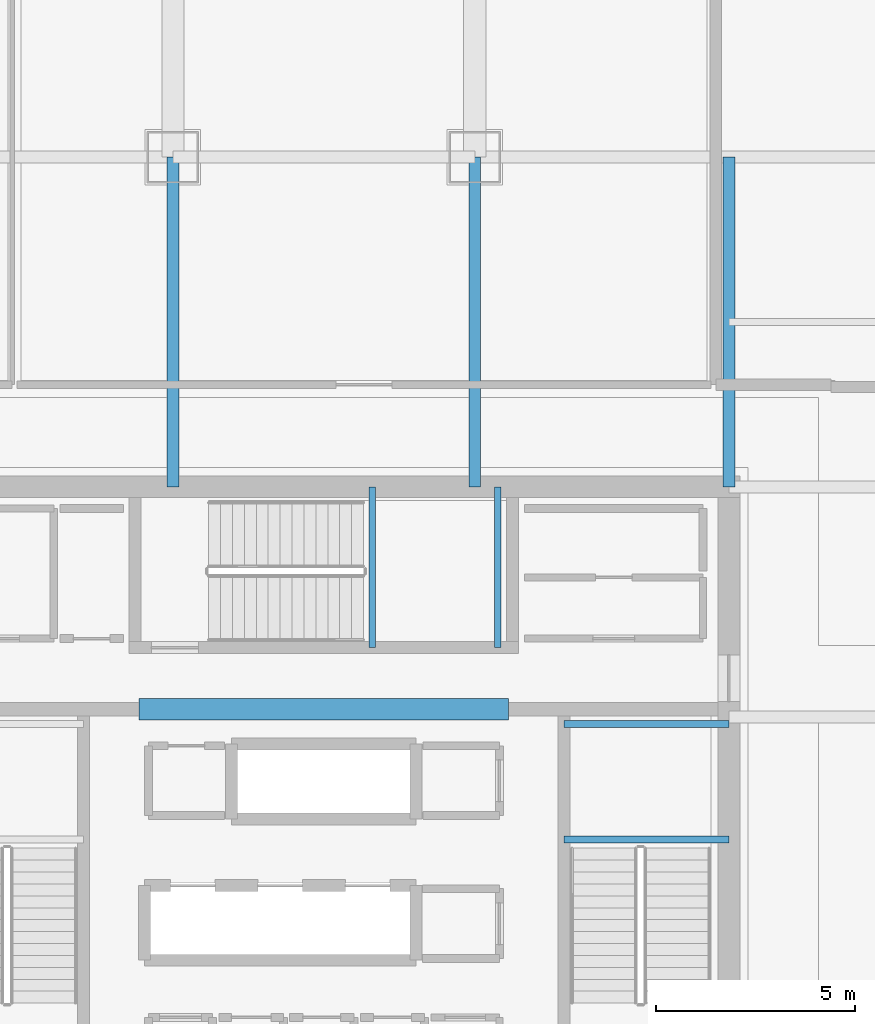
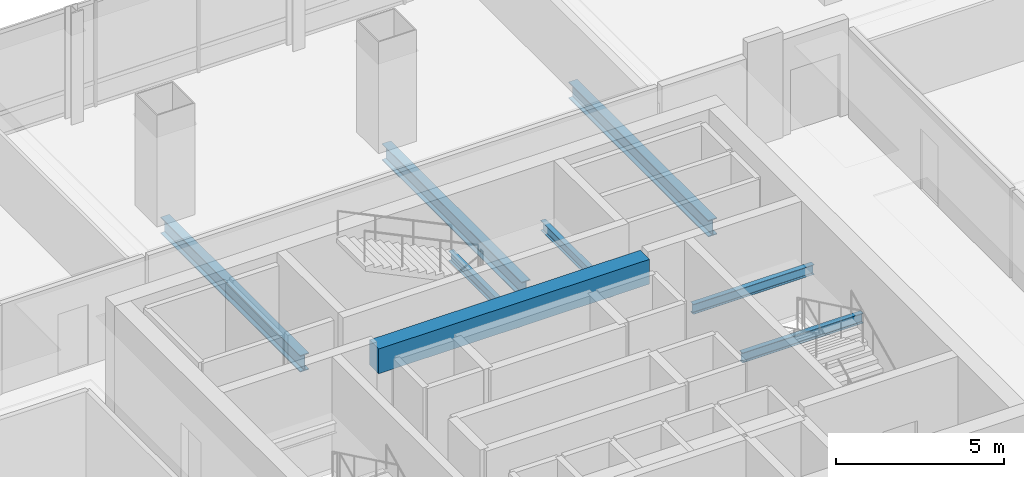
# One storey, part 13 of 40: 8 beams.
"""IFC4 building model written with IfcOpenShell, lengths in metres."""

from ifc_helpers import new_model, si_unit, direction, frame, origin, origin_2d, place, context, subcontext, project, spatial, rectangle, i_section, extrude, material, material_profile, profile_set, type_object, element, save


model = new_model("IFC4")

# Units and contexts
model_context = context("Model", 3, precision=1e-05, world=origin(), true_north=direction((0.0, 1.0)))
body_context = subcontext(model_context, "Body", "Model", "MODEL_VIEW")
ifc_project = project(units=[si_unit("LENGTHUNIT", "METRE"), si_unit("AREAUNIT", "SQUARE_METRE"), si_unit("VOLUMEUNIT", "CUBIC_METRE"), si_unit("PLANEANGLEUNIT", "RADIAN"), si_unit("MASSUNIT", "GRAM", prefix="KILO")], contexts=[model_context])

# Site, building, storey
site_placement = place(None, origin())
site = spatial("IfcSite", under=ifc_project, at=site_placement, CompositionType="ELEMENT")
building_placement = place(site_placement, origin())
building = spatial("IfcBuilding", under=site, at=building_placement, Name="Punatoya Terracotta Tower", CompositionType="ELEMENT")
storey_placement = place(building_placement, frame((0.0, 0.0, 271.64990234375)))
storey = spatial("IfcBuildingStorey", under=building, at=storey_placement, Name="L64", CompositionType="ELEMENT", Elevation=271.64990234375)

# Beams
ifc_material_1 = material(Name="Steel S355", Category="steel")
ifc_material_profile_1 = material_profile(ifc_material_1, i_section(OverallWidth=0.300048828125, OverallDepth=0.60009765625, WebThickness=0.015380859375, FlangeThickness=0.030029296875, FilletRadius=0.01806640625, at=origin_2d()))
ifc_profile_set_1 = profile_set([ifc_material_profile_1], Name="Steel S355")
beam_type_1 = type_object("IfcBeamType", Name="BM-PRI-600", PredefinedType="BEAM", material=ifc_profile_set_1)
for number, where, z_axis, x_axis, name in (
    (1, (-3.800048828125, 9.199951171875, -0.5), (0.0, 1.0, 0.0), (-1.0, 0.0, 0.0), "BM-L64-PR-N2"),
    (2, (3.800048828125, 9.199951171875, -0.5), (0.0, 1.0, 0.0), (-1.0, 0.0, 0.0), "BM-L64-PR-N3"),
    (3, (10.199951171875, 9.199951171875, -0.5), (0.0, 1.0, 0.0), (-1.0, 0.0, 0.0), "BM-L64-PR-N4"),
):
    element("IfcBeam", number, at=place(storey_placement, frame(where, z_axis=z_axis, x_axis=x_axis)), inside=storey, type_object=beam_type_1, Name=name, PredefinedType="BEAM", context=body_context, shape_type="SweptSolid", body=[
        extrude(i_section(OverallWidth=0.300048828125, OverallDepth=0.60009765625, WebThickness=0.015380859375, FlangeThickness=0.030029296875, FilletRadius=0.01806640625, at=origin_2d()), origin(), (0.0, 0.0, 1.0), 8.300048828125),
    ])
ifc_material_2 = material(Name="Concrete C50/60", Category="concrete")
ifc_material_profile_2 = material_profile(ifc_material_2, rectangle(XDim=0.550048828125, YDim=0.89990234375, at=origin_2d()))
ifc_profile_set_2 = profile_set([ifc_material_profile_2], Name="Concrete C50/60")
beam_type_2 = type_object("IfcBeamType", Name="BM-RC-900", PredefinedType="LINTEL", material=ifc_profile_set_2)
beam_placement = place(storey_placement, frame((-4.64990234375, 3.60009765625, 3.400146484375), z_axis=(1.0, 0.0, 0.0), x_axis=(0.0, 1.0, 0.0)))
element("IfcBeam", 4, at=beam_placement, inside=storey, type_object=beam_type_2, Name="L64 Core Coupling Lintel CNW", PredefinedType="LINTEL", context=body_context, shape_type="SweptSolid", body=[
    extrude(rectangle(XDim=0.550048828125, YDim=0.89990234375, at=origin_2d()), origin(), (0.0, 0.0, 1.0), 9.2998046875),
])
ifc_material_profile_3 = material_profile(ifc_material_1, i_section(OverallWidth=0.169921875, OverallDepth=0.360107421875, WebThickness=0.008056640625, FlangeThickness=0.0126953125, FilletRadius=0.01806640625, at=origin_2d()))
ifc_profile_set_3 = profile_set([ifc_material_profile_3], Name="Steel S355")
beam_type_3 = type_object("IfcBeamType", Name="BM-SEC-360", PredefinedType="JOIST", material=ifc_profile_set_3)
for number, where, z_axis, x_axis, name in (
    (5, (6.050048828125, 0.320068359375, 1.64501953125), (1.0, 0.0, 0.0), (0.0, 1.0, 0.0), "BM-L64-ST-2-LD1A"),
    (6, (6.050048828125, 3.22998046875, 1.64501953125), (1.0, 0.0, 0.0), (0.0, 1.0, 0.0), "BM-L64-ST-2-LD1B"),
):
    element("IfcBeam", number, at=place(storey_placement, frame(where, z_axis=z_axis, x_axis=x_axis)), inside=storey, type_object=beam_type_3, Name=name, PredefinedType="JOIST", context=body_context, shape_type="SweptSolid", body=[
        extrude(i_section(OverallWidth=0.169921875, OverallDepth=0.360107421875, WebThickness=0.008056640625, FlangeThickness=0.0126953125, FilletRadius=0.01806640625, at=origin_2d()), origin(), (0.0, 0.0, 1.0), 4.14990234375),
    ])
for number, where, z_axis, x_axis, name in (
    (7, (1.219970703125, 5.14990234375, 1.64501953125), (0.0, 1.0, 0.0), (-1.0, 0.0, 0.0), "BM-L64-ST-3-LD1A"),
    (8, (4.3798828125, 5.14990234375, 1.64501953125), (0.0, 1.0, 0.0), (-1.0, 0.0, 0.0), "BM-L64-ST-3-LD1B"),
):
    element("IfcBeam", number, at=place(storey_placement, frame(where, z_axis=z_axis, x_axis=x_axis)), inside=storey, type_object=beam_type_3, Name=name, PredefinedType="JOIST", context=body_context, shape_type="SweptSolid", body=[
        extrude(i_section(OverallWidth=0.169921875, OverallDepth=0.360107421875, WebThickness=0.008056640625, FlangeThickness=0.0126953125, FilletRadius=0.01806640625, at=origin_2d()), origin(), (0.0, 0.0, 1.0), 4.050048828125),
    ])

save(model, "model.ifc")
